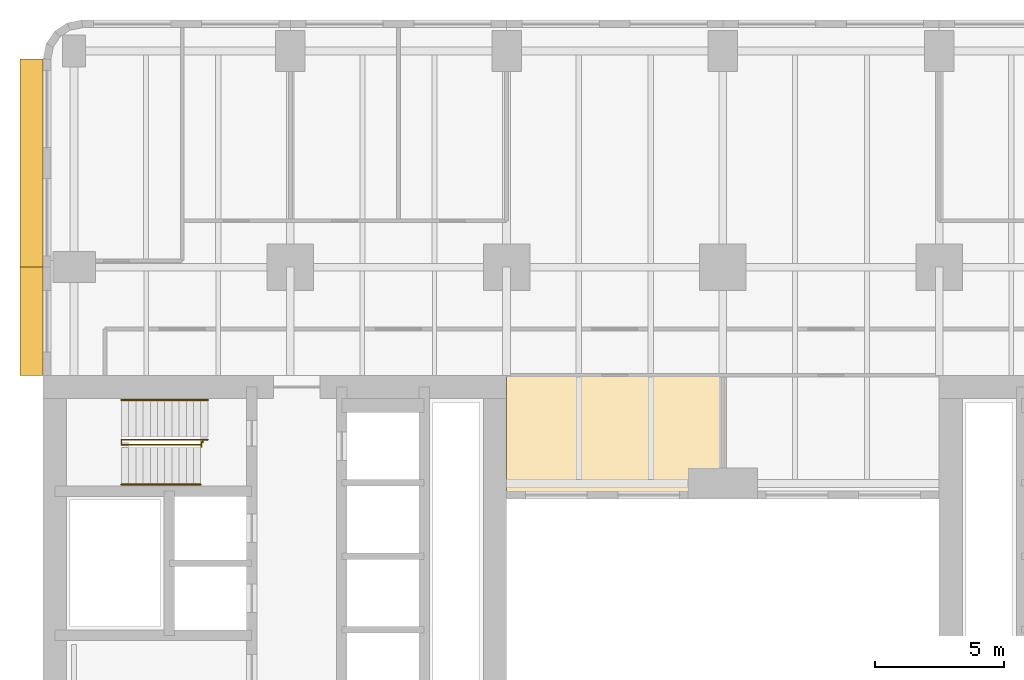
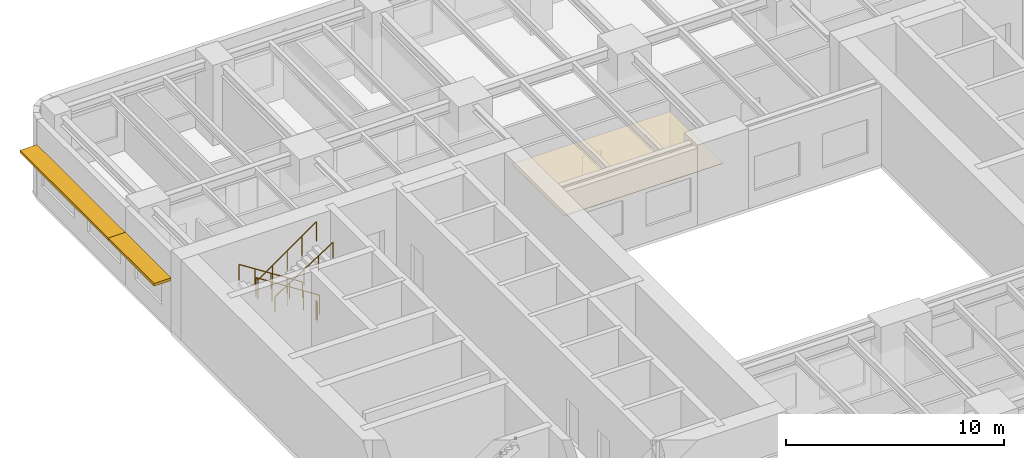
# One storey, part 12 of 14: 4 railings, 2 shading devices, 1 covering.
"""IFC4 building model written with IfcOpenShell, lengths in metres."""

from ifc_helpers import new_model, si_unit, direction, frame, origin, origin_2d, place, context, subcontext, project, spatial, polyline, rectangle, circle, outline, extrude, material, layer, layer_set, type_object, element, save


model = new_model("IFC4")

# Units and contexts
model_context = context("Model", 3, precision=1e-05, world=origin(), true_north=direction((0.0, 1.0)))
body_context = subcontext(model_context, "Body", "Model", "MODEL_VIEW")
ifc_project = project(units=[si_unit("LENGTHUNIT", "METRE"), si_unit("AREAUNIT", "SQUARE_METRE"), si_unit("VOLUMEUNIT", "CUBIC_METRE"), si_unit("PLANEANGLEUNIT", "RADIAN"), si_unit("MASSUNIT", "GRAM", prefix="KILO")], contexts=[model_context])

# Site, building, storey
site_placement = place(None, origin())
site = spatial("IfcSite", under=ifc_project, at=site_placement, CompositionType="ELEMENT")
building_placement = place(site_placement, origin())
building = spatial("IfcBuilding", under=site, at=building_placement, Name="Claustro Exchange Tower", CompositionType="ELEMENT")
storey_placement = place(building_placement, frame((0.0, 0.0, 77.39990234375)))
storey = spatial("IfcBuildingStorey", under=building, at=storey_placement, Name="L17", CompositionType="ELEMENT", Elevation=77.39990234375)

# Covering
ifc_material_1 = material(Name="Perforated metal ceiling tiles", Category="steel")
ifc_layer_1 = layer(ifc_material_1, 0.030029296875)
ifc_layer_set_1 = layer_set([ifc_layer_1], Name="Perforated metal ceiling tiles")
covering_type = type_object("IfcCoveringType", Name="CL1 suspended metal ceiling", PredefinedType="CEILING", material=ifc_layer_set_1)
covering_placement = place(storey_placement, frame((0.0, 0.0, 3.0)))
element("IfcCovering", 1, at=covering_placement, inside=storey, type_object=covering_type, Name="Ceiling CL1 L17-11", PredefinedType="CEILING", context=body_context, shape_type="SweptSolid", body=[
    extrude(outline(polyline([(16.800048828125, 33.0), (25.199951171875, 33.0), (25.199951171875, 37.800048828125), (16.800048828125, 37.800048828125), (16.800048828125, 33.0)])), origin(), (0.0, 0.0, 1.0), 0.030029296875),
])

# Railings
ifc_material_2 = material(Name="Steel balustrade, painted", Category="steel")
railing_type_1 = type_object("IfcRailingType", Name="GR2 1100 steel stair guard", PredefinedType="GUARDRAIL", material=ifc_material_2)
railing_1_placement = place(storey_placement, frame((5.199951171875, 35.300048828125, 0.18017578125)))
element("IfcRailing", 2, at=railing_1_placement, inside=storey, type_object=railing_type_1, Name="Stair well guard GR2 stair STWB L17", PredefinedType="GUARDRAIL", context=body_context, shape_type="SweptSolid", body=[
    extrude(circle(Radius=0.02392578125, at=origin_2d()), frame((0.0, 0.0, 1.076171875), z_axis=(-0.841178475377, 0.0, 0.540757591313), x_axis=(0.0, -1.0, 0.0)), (0.0, 0.0, 1.0), 3.994140625),
    extrude(circle(Radius=0.02392578125, at=origin_2d()), frame((-3.35986328125, 0.0, 3.23583984375), z_axis=(0.0, -1.0, 0.0), x_axis=(1.0, 0.0, 0.0)), (0.0, 0.0, 1.0), 0.199951171875),
    extrude(circle(Radius=0.02392578125, at=origin_2d()), frame((-3.35986328125, -0.199951171875, 3.23583984375), z_axis=(0.818728512145, 0.0, 0.574180828137), x_axis=(0.0, 1.0, 0.0)), (0.0, 0.0, 1.0), 3.76171875),
    extrude(circle(Radius=0.02099609375, at=origin_2d()), origin(), (0.0, 0.0, 1.0), 1.052001953125),
    extrude(circle(Radius=0.02099609375, at=origin_2d()), frame((-0.83984375, 0.0, 0.5400390625)), (0.0, 0.0, 1.0), 1.052001953125),
    extrude(circle(Radius=0.02099609375, at=origin_2d()), frame((-1.679931640625, 0.0, 1.080078125)), (0.0, 0.0, 1.0), 1.052001953125),
    extrude(circle(Radius=0.02099609375, at=origin_2d()), frame((-2.52001953125, 0.0, 1.619873046875)), (0.0, 0.0, 1.0), 1.052001953125),
    extrude(circle(Radius=0.02099609375, at=origin_2d()), frame((-3.35986328125, 0.0, 2.159912109375)), (0.0, 0.0, 1.0), 1.052001953125),
    extrude(circle(Radius=0.02099609375, at=origin_2d()), frame((-3.35986328125, -0.199951171875, 2.159912109375)), (0.0, 0.0, 1.0), 1.052001953125),
    extrude(circle(Radius=0.02099609375, at=origin_2d()), frame((-2.58984375, -0.199951171875, 2.699951171875)), (0.0, 0.0, 1.0), 1.052001953125),
    extrude(circle(Radius=0.02099609375, at=origin_2d()), frame((-1.81982421875, -0.199951171875, 3.23974609375)), (0.0, 0.0, 1.0), 1.052001953125),
    extrude(circle(Radius=0.02099609375, at=origin_2d()), frame((-1.050048828125, -0.199951171875, 3.77978515625)), (0.0, 0.0, 1.0), 1.052001953125),
    extrude(circle(Radius=0.02099609375, at=origin_2d()), frame((-0.280029296875, -0.199951171875, 4.31982421875)), (0.0, 0.0, 1.0), 1.052001953125),
])
railing_2_placement = place(storey_placement, frame((5.0, 35.22998046875, 0.0)))
element("IfcRailing", 3, at=railing_2_placement, inside=storey, type_object=railing_type_1, Name="Stair guard GR2 STWB L17", PredefinedType="GUARDRAIL", context=body_context, shape_type="SweptSolid", body=[
    extrude(circle(Radius=0.02392578125, at=origin_2d()), frame((0.0, 0.0, 1.076171875), z_axis=(0.0, -1.0, 0.0), x_axis=(1.0, 0.0, 0.0)), (0.0, 0.0, 1.0), 0.030029296875),
    extrude(circle(Radius=0.02392578125, at=origin_2d()), frame((0.0, -0.030029296875, 1.076171875), z_axis=(-1.0, 0.0, 0.0), x_axis=(0.0, -1.0, 0.0)), (0.0, 0.0, 1.0), 0.054931640625),
    extrude(circle(Radius=0.02392578125, at=origin_2d()), frame((-0.054931640625, -0.030029296875, 1.076171875), z_axis=(0.0, -1.0, 0.0), x_axis=(1.0, 0.0, 0.0)), (0.0, 0.0, 1.0), 0.179931640625),
    extrude(circle(Radius=0.02099609375, at=origin_2d()), origin(), (0.0, 0.0, 1.0), 1.052001953125),
    extrude(circle(Radius=0.02099609375, at=origin_2d()), frame((0.0, -0.030029296875, 0.0)), (0.0, 0.0, 1.0), 1.052001953125),
    extrude(circle(Radius=0.02099609375, at=origin_2d()), frame((-0.054931640625, -0.030029296875, 0.0)), (0.0, 0.0, 1.0), 1.052001953125),
    extrude(circle(Radius=0.02099609375, at=origin_2d()), frame((-0.054931640625, -0.2099609375, 0.0)), (0.0, 0.0, 1.0), 1.052001953125),
])
ifc_material_3 = material(Name="Stainless steel tube", Category="steel")
railing_type_2 = type_object("IfcRailingType", Name="HR1 900 stair handrail", PredefinedType="HANDRAIL", material=ifc_material_3)
railing_3_placement = place(storey_placement, frame((5.199951171875, 36.840087890625, 0.18017578125)))
element("IfcRailing", 4, at=railing_3_placement, inside=storey, type_object=railing_type_2, Name="Handrail HR1 stair STWB L17", PredefinedType="HANDRAIL", context=body_context, shape_type="SweptSolid", body=[
    extrude(circle(Radius=0.02392578125, at=origin_2d()), frame((0.0, 0.0, 0.8759765625), z_axis=(-0.841178475377, 0.0, 0.540757591313), x_axis=(0.0, -1.0, 0.0)), (0.0, 0.0, 1.0), 3.994140625),
    extrude(circle(Radius=0.02099609375, at=origin_2d()), origin(), (0.0, 0.0, 1.0), 0.851806640625),
    extrude(circle(Radius=0.02099609375, at=origin_2d()), frame((-0.83984375, 0.0, 0.5400390625)), (0.0, 0.0, 1.0), 0.851806640625),
    extrude(circle(Radius=0.02099609375, at=origin_2d()), frame((-1.679931640625, 0.0, 1.080078125)), (0.0, 0.0, 1.0), 0.851806640625),
    extrude(circle(Radius=0.02099609375, at=origin_2d()), frame((-2.52001953125, 0.0, 1.619873046875)), (0.0, 0.0, 1.0), 0.851806640625),
    extrude(circle(Radius=0.02099609375, at=origin_2d()), frame((-3.35986328125, 0.0, 2.159912109375)), (0.0, 0.0, 1.0), 0.851806640625),
])
railing_4_placement = place(storey_placement, frame((1.840087890625, 33.56005859375, 2.52001953125)))
element("IfcRailing", 5, at=railing_4_placement, inside=storey, type_object=railing_type_2, Name="Handrail HR1 stair STWB L17", PredefinedType="HANDRAIL", context=body_context, shape_type="SweptSolid", body=[
    extrude(circle(Radius=0.02392578125, at=origin_2d()), frame((0.0, 0.0, 0.8759765625), z_axis=(0.841167642724, 0.0, 0.540774441735), x_axis=(0.0, 1.0, 0.0)), (0.0, 0.0, 1.0), 3.661376953125),
    extrude(circle(Radius=0.02099609375, at=origin_2d()), origin(), (0.0, 0.0, 1.0), 0.851806640625),
    extrude(circle(Radius=0.02099609375, at=origin_2d()), frame((0.77001953125, 0.0, 0.4951171875)), (0.0, 0.0, 1.0), 0.851806640625),
    extrude(circle(Radius=0.02099609375, at=origin_2d()), frame((1.5400390625, 0.0, 0.989990234375)), (0.0, 0.0, 1.0), 0.851806640625),
    extrude(circle(Radius=0.02099609375, at=origin_2d()), frame((2.309814453125, 0.0, 1.48486328125)), (0.0, 0.0, 1.0), 0.851806640625),
    extrude(circle(Radius=0.02099609375, at=origin_2d()), frame((3.079833984375, 0.0, 1.97998046875)), (0.0, 0.0, 1.0), 0.851806640625),
])

# Shading devices
ifc_material_4 = material(Name="Concrete HA-40 (C40/50), precast, white cement, acid-etched", Category="concrete")
ifc_layer_2 = layer(ifc_material_4, 0.14990234375)
ifc_layer_set_2 = layer_set([ifc_layer_2], Name="Concrete HA-40 (C40/50), precast, white cement, acid-etched")
shading_device_type = type_object("IfcShadingDeviceType", Name="SS2 900 precast concrete SUNSHADE", PredefinedType="SHUTTER", material=ifc_layer_set_2)
shading_device_1_placement = place(storey_placement, frame((-1.64990234375, 39.89990234375, 2.800048828125), z_axis=(0.0, 0.0, 1.0), x_axis=(0.0, 1.0, 0.0)))
element("IfcShadingDevice", 6, at=shading_device_1_placement, inside=storey, type_object=shading_device_type, Name="Precast SUNSHADE SS2 L17", PredefinedType="SHUTTER", context=body_context, shape_type="SweptSolid", body=[
    extrude(rectangle(XDim=4.199951171875, YDim=0.89990234375, at=origin_2d()), origin(), (0.0, 0.0, 1.0), 0.14990234375),
])
shading_device_2_placement = place(storey_placement, frame((-1.64990234375, 46.04248046875, 2.800048828125), z_axis=(0.0, 0.0, 1.0), x_axis=(0.0, 1.0, 0.0)))
element("IfcShadingDevice", 7, at=shading_device_2_placement, inside=storey, type_object=shading_device_type, Name="Precast SUNSHADE SS2 L17", PredefinedType="SHUTTER", context=body_context, shape_type="SweptSolid", body=[
    extrude(rectangle(XDim=8.085205078125, YDim=0.89990234375, at=origin_2d()), origin(), (0.0, 0.0, 1.0), 0.14990234375),
])

save(model, "model.ifc")
